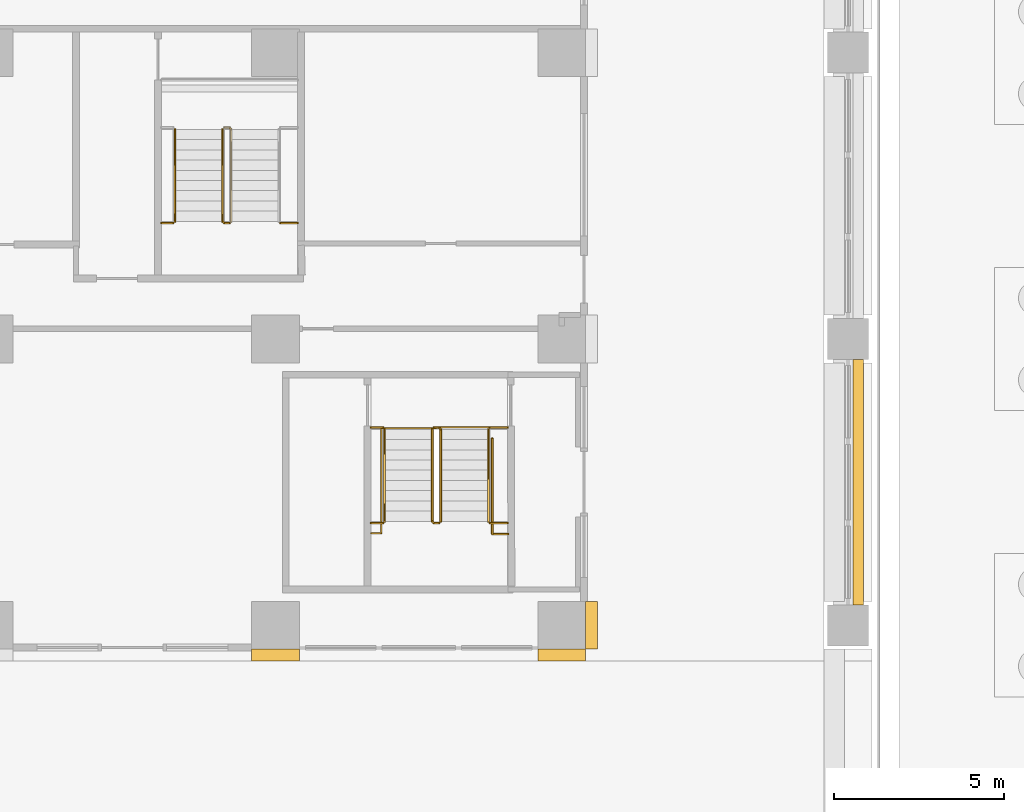
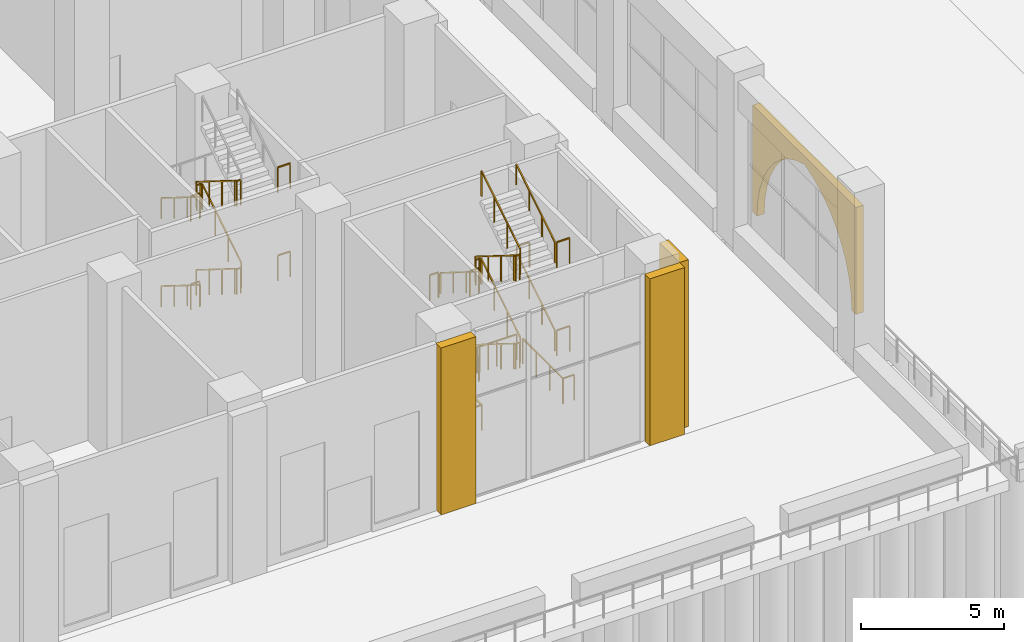
# One storey, part 44 of 53: 26 railings, 4 coverings.
"""IFC4 building model written with IfcOpenShell, lengths in metres."""

import ifcopenshell
import ifcopenshell.guid

model = None  # the IFC model being written
_history = None  # IfcOwnerHistory: only IFC2X3 demands one
_inside = {}  # id of a spatial element -> (the spatial element, [elements in it])
_under = {}  # id of a project, library or spatial element -> (it, [spatial elements below it])
_declared = {}  # id of a project -> (the project, [libraries it declares])
_typed = {}  # id of a type object -> (the type object, [elements of that type])
_made_of = {}  # id of a material, layer set ... -> (it, [elements and type objects made of it])


def new_model(schema):
    """Start an empty IFC model of exactly this schema.

    Asked for "IFC4X3", IfcOpenShell would pick the latest addendum, in which some entities
    have other attributes; the version numbers below select the first issue.
    IFC2X3 requires an IfcOwnerHistory on every rooted entity: one is made here for all.
    """
    global model, _history
    if schema == "IFC4X3":
        model = ifcopenshell.file(schema_version=(4, 3, 0, 0))
    else:
        model = ifcopenshell.file(schema=schema)
    _inside.clear()
    _under.clear()
    _declared.clear()
    _typed.clear()
    _made_of.clear()
    _history = None
    if model.schema == "IFC2X3":
        org = make("IfcOrganization", Name="unknown")
        user = make(
            "IfcPersonAndOrganization",
            ThePerson=make("IfcPerson", FamilyName="unknown"),
            TheOrganization=org,
        )
        app = make(
            "IfcApplication",
            ApplicationDeveloper=org,
            Version="unknown",
            ApplicationFullName="unknown",
            ApplicationIdentifier="unknown",
        )
        _history = make(
            "IfcOwnerHistory",
            OwningUser=user,
            OwningApplication=app,
            ChangeAction="ADDED",
            CreationDate=0,
        )
    return model


def make(cls, **values):
    """One entity of the class cls with the attributes given. An attribute that is None is left unset."""
    return model.create_entity(
        cls, **{name: value for name, value in values.items() if value is not None}
    )


def rooted(cls, **values):
    """An entity with a GlobalId (a new one), such as an element, a storey or a relation."""
    return make(cls, GlobalId=ifcopenshell.guid.new(), OwnerHistory=_history, **values)


def si_unit(unit_type, name, prefix=None):
    """IfcSIUnit, for example si_unit("LENGTHUNIT", "METRE", prefix="MILLI")."""
    return make("IfcSIUnit", UnitType=unit_type, Prefix=prefix, Name=name)


def assignment(units):
    """IfcUnitAssignment: the units of a project."""
    return None if units is None else make("IfcUnitAssignment", Units=units)


def point(xyz):
    """IfcCartesianPoint."""
    return None if xyz is None else make("IfcCartesianPoint", Coordinates=xyz)


def direction(xyz):
    """IfcDirection."""
    return None if xyz is None else make("IfcDirection", DirectionRatios=xyz)


def frame(location, z_axis=None, x_axis=None):
    """IfcAxis2Placement3D, a coordinate frame: its origin and axes. An axis left out is left unset."""
    return make(
        "IfcAxis2Placement3D",
        Location=point(location),
        Axis=direction(z_axis),
        RefDirection=direction(x_axis),
    )


def frame_2d(location, x_axis=None):
    """IfcAxis2Placement2D, a coordinate frame in the plane: its origin and x axis."""
    return make(
        "IfcAxis2Placement2D", Location=point(location), RefDirection=direction(x_axis)
    )


def origin():
    """The frame at (0, 0, 0) with its axes left unset."""
    return frame((0.0, 0.0, 0.0))


def origin_2d():
    """The frame at (0, 0) in the plane with its x axis left unset."""
    return frame_2d((0.0, 0.0))


def place(relative_to, where):
    """IfcLocalPlacement: puts the frame where relative to a parent placement (None: the world)."""
    return make(
        "IfcLocalPlacement", PlacementRelTo=relative_to, RelativePlacement=where
    )


def context(
    kind, dimensions, precision=None, world=None, true_north=None, identifier=None
):
    """IfcGeometricRepresentationContext, for example the 3D "Model" context."""
    return make(
        "IfcGeometricRepresentationContext",
        ContextIdentifier=identifier,
        ContextType=kind,
        CoordinateSpaceDimension=dimensions,
        Precision=precision,
        WorldCoordinateSystem=world,
        TrueNorth=true_north,
    )


def subcontext(parent, identifier, kind, view, scale=None):
    """IfcGeometricRepresentationSubContext, for example "Body" below "Model"."""
    return make(
        "IfcGeometricRepresentationSubContext",
        ContextIdentifier=identifier,
        ContextType=kind,
        ParentContext=parent,
        TargetScale=scale,
        TargetView=view,
    )


def project(units=None, contexts=None):
    """IfcProject with its units and contexts."""
    return rooted(
        "IfcProject",
        Name="project",
        RepresentationContexts=contexts,
        UnitsInContext=assignment(units),
    )


def spatial(cls, under=None, at=None, **own):
    """A site, building, storey or space (cls), placed at a placement, below another one or the project."""
    s = rooted(cls, ObjectPlacement=at, **own)
    if under is not None:
        _under.setdefault(under.id(), (under, []))[1].append(s)
    return s


def polyline(points):
    """IfcPolyline through the points."""
    return make("IfcPolyline", Points=[point(p) for p in points])


def profile(cls, at=None, kind="AREA", **sizes):
    """A parametric profile (cls). Its sizes go by their IFC names, for example OverallWidth=200.0."""
    return make(cls, ProfileType=kind, Position=at, **sizes)


def rectangle(**sizes):
    """IfcRectangleProfileDef."""
    return profile("IfcRectangleProfileDef", **sizes)


def outline(outer, holes=None, kind="AREA"):
    """IfcArbitraryClosedProfileDef: a profile drawn as a closed curve; with holes, ...WithVoids."""
    if holes is None:
        return make("IfcArbitraryClosedProfileDef", ProfileType=kind, OuterCurve=outer)
    return make(
        "IfcArbitraryProfileDefWithVoids",
        ProfileType=kind,
        OuterCurve=outer,
        InnerCurves=holes,
    )


def extrude(swept, where, along, depth):
    """IfcExtrudedAreaSolid: the profile swept, set in the frame where, extruded along a direction by depth."""
    return make(
        "IfcExtrudedAreaSolid",
        SweptArea=swept,
        Position=where,
        ExtrudedDirection=direction(along),
        Depth=depth,
    )


def shape(context_of_items, identifier, shape_type, items):
    """IfcShapeRepresentation: the items that make up one representation, for example the "Body"."""
    return make(
        "IfcShapeRepresentation",
        ContextOfItems=context_of_items,
        RepresentationIdentifier=identifier,
        RepresentationType=shape_type,
        Items=items,
    )


def material(Name=None, Category=None):
    """IfcMaterial."""
    return make("IfcMaterial", Name=Name, Category=Category)


def made_of(thing, what):
    """Note that an element or type object is made of a material, layer set ...; save() writes the relation."""
    if what is not None:
        _made_of.setdefault(what.id(), (what, []))[1].append(thing)
    return thing


def type_object(cls, material=None, **own):
    """A type object (cls), such as IfcWallType, which elements share."""
    return made_of(rooted(cls, **own), material)


def element(
    cls,
    number,
    at=None,
    inside=None,
    cuts=None,
    type_object=None,
    material=None,
    context=None,
    identifier="Body",
    shape_type=None,
    held_by="IfcProductDefinitionShape",
    body=None,
    shapes=None,
    **own,
):
    """One element of the class cls, such as IfcWall. Its Tag is "e" and its number.

    at: its placement. inside: the storey or other place that contains it. cuts: it is an
    opening in that element (IfcRelVoidsElement). A single representation is given by context,
    identifier, shape_type and body (its items); several are given by shapes. held_by: the class
    of the entity that holds the representations. save() writes the other relations.
    """
    e = rooted(cls, Tag="e%d" % number, ObjectPlacement=at, **own)
    if body is not None:
        shapes = [shape(context, identifier, shape_type, body)]
    if shapes is not None:
        e.Representation = make(held_by, Representations=shapes)
    if inside is not None:
        _inside.setdefault(inside.id(), (inside, []))[1].append(e)
    if cuts is not None:
        rooted(
            "IfcRelVoidsElement", RelatingBuildingElement=cuts, RelatedOpeningElement=e
        )
    if type_object is not None:
        _typed.setdefault(type_object.id(), (type_object, []))[1].append(e)
    return made_of(e, material)


def aggregate(whole, parts):
    """IfcRelAggregates: a whole, such as a stair, and the parts it consists of."""
    return rooted("IfcRelAggregates", RelatingObject=whole, RelatedObjects=parts)


def save(model, path):
    """Write the relations noted so far, then the file.

    IfcRelAggregates (storeys below a building ...), IfcRelContainedInSpatialStructure (elements
    in a storey), IfcRelDefinesByType, IfcRelAssociatesMaterial and IfcRelDeclares: one each for
    every whole, place, type object, material and project.
    """
    for whole, parts in _under.values():
        aggregate(whole, parts)
    for where, things in _inside.values():
        rooted(
            "IfcRelContainedInSpatialStructure",
            RelatedElements=things,
            RelatingStructure=where,
        )
    for kind, things in _typed.values():
        rooted("IfcRelDefinesByType", RelatedObjects=things, RelatingType=kind)
    for what, things in _made_of.values():
        rooted("IfcRelAssociatesMaterial", RelatedObjects=things, RelatingMaterial=what)
    for by, libraries in _declared.values():
        rooted("IfcRelDeclares", RelatingContext=by, RelatedDefinitions=libraries)
    model.write(path)


model = new_model("IFC4")

# Units and contexts
model_context = context("Model", 3, precision=1e-05, world=origin(), true_north=direction((0.0, 1.0)))
body_context = subcontext(model_context, "Body", "Model", "MODEL_VIEW")
ifc_project = project(units=[si_unit("LENGTHUNIT", "METRE"), si_unit("AREAUNIT", "SQUARE_METRE"), si_unit("VOLUMEUNIT", "CUBIC_METRE"), si_unit("PLANEANGLEUNIT", "RADIAN"), si_unit("MASSUNIT", "GRAM", prefix="KILO")], contexts=[model_context])

# Site, building, storey
site_placement = place(None, origin())
site = spatial("IfcSite", under=ifc_project, at=site_placement, CompositionType="ELEMENT")
building_placement = place(site_placement, origin())
building = spatial("IfcBuilding", under=site, at=building_placement, Name="Vermilion Ogive Tower", CompositionType="ELEMENT")
storey_placement = place(building_placement, origin())
storey = spatial("IfcBuildingStorey", under=building, at=storey_placement, Name="L00", CompositionType="ELEMENT", Elevation=0.0)

# Covering
ifc_material_1 = material(Name="Stone cladding", Category="masonry")
covering_type_1 = type_object("IfcCoveringType", Name="Arcade ogive head", PredefinedType="CLADDING", material=ifc_material_1)
covering_1_placement = place(storey_placement, frame((58.949951171875, -25.199951171875, 5.89990234375), z_axis=(1.0, 0.0, 0.0), x_axis=(0.0, 1.0, 0.0)))
element("IfcCovering", 1, at=covering_1_placement, inside=storey, type_object=covering_type_1, Name="Arcade stone head L00 1", PredefinedType="CLADDING", context=body_context, shape_type="SweptSolid", body=[
    extrude(outline(polyline([(-3.300048828125, -4.550048828125), (-3.252685546875, -3.91259765625), (-3.112060546875, -3.2890625), (-2.880859375, -2.693115234375), (-2.564453125, -2.137939453125), (-2.169677734375, -1.63525390625), (-1.704833984375, -1.196533203125), (-1.1806640625, -0.830810546875), (-0.608154296875, -0.546630859375), (0.0, -0.35009765625), (0.608154296875, -0.546630859375), (1.1806640625, -0.830810546875), (1.704833984375, -1.196533203125), (2.169677734375, -1.63525390625), (2.564453125, -2.137939453125), (2.880859375, -2.693115234375), (3.112060546875, -3.2890625), (3.252685546875, -3.91259765625), (3.300048828125, -4.550048828125), (3.60009765625, -4.550048828125), (3.60009765625, 0.0), (-3.60009765625, 0.0), (-3.60009765625, -4.550048828125), (-3.300048828125, -4.550048828125)])), origin(), (0.0, 0.0, 1.0), 0.300048828125),
])

# Railings
ifc_material_2 = material(Name="Steel S355 painted", Category="steel")
railing_type_1 = type_object("IfcRailingType", Name="Stair guard 1100", PredefinedType="GUARDRAIL", material=ifc_material_2)
railing_1_placement = place(storey_placement, frame((40.449951171875, -14.85009765625, 0.1875)))
element("IfcRailing", 2, at=railing_1_placement, inside=storey, type_object=railing_type_1, Name="L00 PS6 stair guard 1", PredefinedType="GUARDRAIL", context=body_context, shape_type="SweptSolid", body=[
    extrude(rectangle(XDim=0.048095703125, YDim=0.048095703125, at=origin_2d()), frame((0.0, 0.0, 1.076171875), z_axis=(0.0, -0.847993996163, 0.530005832488), x_axis=(1.0, 0.0, 0.0)), (0.0, 0.0, 1.0), 3.183837890625),
    extrude(rectangle(XDim=0.048095703125, YDim=0.048095703125, at=origin_2d()), frame((0.0, -2.699951171875, 2.763671875), z_axis=(0.707106781187, -0.707106781187, 0.0), x_axis=(0.707106781187, 0.707106781187, 0.0)), (0.0, 0.0, 1.0), 0.07080078125),
    extrude(rectangle(XDim=0.048095703125, YDim=0.048095703125, at=origin_2d()), frame((0.050048828125, -2.75, 2.763671875), z_axis=(1.0, 0.0, 0.0), x_axis=(0.0, 1.0, 0.0)), (0.0, 0.0, 1.0), 0.14990234375),
    extrude(rectangle(XDim=0.0419921875, YDim=0.0419921875, at=origin_2d()), origin(), (0.0, 0.0, 1.0), 1.052001953125),
    extrude(rectangle(XDim=0.0419921875, YDim=0.0419921875, at=origin_2d()), frame((0.0, -0.89990234375, 0.5625)), (0.0, 0.0, 1.0), 1.052001953125),
    extrude(rectangle(XDim=0.0419921875, YDim=0.0419921875, at=origin_2d()), frame((0.0, -1.800048828125, 1.125)), (0.0, 0.0, 1.0), 1.052001953125),
    extrude(rectangle(XDim=0.0419921875, YDim=0.0419921875, at=origin_2d()), frame((0.0, -2.699951171875, 1.6875)), (0.0, 0.0, 1.0), 1.052001953125),
    extrude(rectangle(XDim=0.0419921875, YDim=0.0419921875, at=origin_2d()), frame((0.050048828125, -2.75, 1.6875)), (0.0, 0.0, 1.0), 1.052001953125),
    extrude(rectangle(XDim=0.0419921875, YDim=0.0419921875, at=origin_2d()), frame((0.199951171875, -2.75, 1.6875)), (0.0, 0.0, 1.0), 1.052001953125),
])
railing_2_placement = place(storey_placement, frame((40.699951171875, -17.550048828125, 2.0625)))
element("IfcRailing", 3, at=railing_2_placement, inside=storey, type_object=railing_type_1, Name="L00 PS6 stair guard 3", PredefinedType="GUARDRAIL", context=body_context, shape_type="SweptSolid", body=[
    extrude(rectangle(XDim=0.048095703125, YDim=0.048095703125, at=origin_2d()), frame((0.0, 0.0, 1.076171875), z_axis=(0.0, 0.847993996163, 0.530005832488), x_axis=(-1.0, 0.0, 0.0)), (0.0, 0.0, 1.0), 3.183837890625),
    extrude(rectangle(XDim=0.048095703125, YDim=0.048095703125, at=origin_2d()), frame((0.0, 2.699951171875, 2.763671875), z_axis=(-0.707106781187, 0.707106781187, 0.0), x_axis=(-0.707106781187, -0.707106781187, 0.0)), (0.0, 0.0, 1.0), 0.07080078125),
    extrude(rectangle(XDim=0.048095703125, YDim=0.048095703125, at=origin_2d()), frame((-0.050048828125, 2.75, 2.763671875), z_axis=(-1.0, 0.0, 0.0), x_axis=(0.0, -1.0, 0.0)), (0.0, 0.0, 1.0), 0.14990234375),
    extrude(rectangle(XDim=0.0419921875, YDim=0.0419921875, at=origin_2d()), origin(), (0.0, 0.0, 1.0), 1.052001953125),
    extrude(rectangle(XDim=0.0419921875, YDim=0.0419921875, at=origin_2d()), frame((0.0, 0.89990234375, 0.5625)), (0.0, 0.0, 1.0), 1.052001953125),
    extrude(rectangle(XDim=0.0419921875, YDim=0.0419921875, at=origin_2d()), frame((0.0, 1.800048828125, 1.125)), (0.0, 0.0, 1.0), 1.052001953125),
    extrude(rectangle(XDim=0.0419921875, YDim=0.0419921875, at=origin_2d()), frame((0.0, 2.699951171875, 1.6875)), (0.0, 0.0, 1.0), 1.052001953125),
    extrude(rectangle(XDim=0.0419921875, YDim=0.0419921875, at=origin_2d()), frame((-0.050048828125, 2.75, 1.6875)), (0.0, 0.0, 1.0), 1.052001953125),
    extrude(rectangle(XDim=0.0419921875, YDim=0.0419921875, at=origin_2d()), frame((-0.199951171875, 2.75, 1.6875)), (0.0, 0.0, 1.0), 1.052001953125),
])
railing_3_placement = place(storey_placement, frame((40.449951171875, -14.85009765625, 3.9375)))
element("IfcRailing", 4, at=railing_3_placement, inside=storey, type_object=railing_type_1, Name="L00 PS6 stair guard 5", PredefinedType="GUARDRAIL", context=body_context, shape_type="SweptSolid", body=[
    extrude(rectangle(XDim=0.048095703125, YDim=0.048095703125, at=origin_2d()), frame((0.0, 0.0, 1.076171875), z_axis=(0.0, -0.847993996163, 0.530005832488), x_axis=(1.0, 0.0, 0.0)), (0.0, 0.0, 1.0), 3.183837890625),
    extrude(rectangle(XDim=0.048095703125, YDim=0.048095703125, at=origin_2d()), frame((0.0, -2.699951171875, 2.763671875), z_axis=(0.707106781187, -0.707106781187, 0.0), x_axis=(0.707106781187, 0.707106781187, 0.0)), (0.0, 0.0, 1.0), 0.07080078125),
    extrude(rectangle(XDim=0.048095703125, YDim=0.048095703125, at=origin_2d()), frame((0.050048828125, -2.75, 2.763671875), z_axis=(1.0, 0.0, 0.0), x_axis=(0.0, 1.0, 0.0)), (0.0, 0.0, 1.0), 0.14990234375),
    extrude(rectangle(XDim=0.0419921875, YDim=0.0419921875, at=origin_2d()), origin(), (0.0, 0.0, 1.0), 1.052001953125),
    extrude(rectangle(XDim=0.0419921875, YDim=0.0419921875, at=origin_2d()), frame((0.0, -0.89990234375, 0.5625)), (0.0, 0.0, 1.0), 1.052001953125),
    extrude(rectangle(XDim=0.0419921875, YDim=0.0419921875, at=origin_2d()), frame((0.0, -1.800048828125, 1.125)), (0.0, 0.0, 1.0), 1.052001953125),
    extrude(rectangle(XDim=0.0419921875, YDim=0.0419921875, at=origin_2d()), frame((0.0, -2.699951171875, 1.6875)), (0.0, 0.0, 1.0), 1.052001953125),
    extrude(rectangle(XDim=0.0419921875, YDim=0.0419921875, at=origin_2d()), frame((0.050048828125, -2.75, 1.6875)), (0.0, 0.0, 1.0), 1.052001953125),
    extrude(rectangle(XDim=0.0419921875, YDim=0.0419921875, at=origin_2d()), frame((0.199951171875, -2.75, 1.6875)), (0.0, 0.0, 1.0), 1.052001953125),
])
railing_4_placement = place(storey_placement, frame((46.60009765625, -23.64990234375, 0.1875)))
element("IfcRailing", 5, at=railing_4_placement, inside=storey, type_object=railing_type_1, Name="L00 PES stair guard 1", PredefinedType="GUARDRAIL", context=body_context, shape_type="SweptSolid", body=[
    extrude(rectangle(XDim=0.048095703125, YDim=0.048095703125, at=origin_2d()), frame((0.0, 0.0, 1.076171875), z_axis=(0.0, -0.848015533692, 0.529971371508), x_axis=(1.0, 0.0, 0.0)), (0.0, 0.0, 1.0), 3.18408203125),
    extrude(rectangle(XDim=0.048095703125, YDim=0.048095703125, at=origin_2d()), frame((0.0, -2.7001953125, 2.763671875), z_axis=(0.707106781187, -0.707106781187, 0.0), x_axis=(0.707106781187, 0.707106781187, 0.0)), (0.0, 0.0, 1.0), 0.0703125),
    extrude(rectangle(XDim=0.048095703125, YDim=0.048095703125, at=origin_2d()), frame((0.0498046875, -2.75, 2.763671875), z_axis=(1.0, 0.0, 0.0), x_axis=(0.0, 1.0, 0.0)), (0.0, 0.0, 1.0), 0.150146484375),
    extrude(rectangle(XDim=0.0419921875, YDim=0.0419921875, at=origin_2d()), origin(), (0.0, 0.0, 1.0), 1.052001953125),
    extrude(rectangle(XDim=0.0419921875, YDim=0.0419921875, at=origin_2d()), frame((0.0, -0.900146484375, 0.5625)), (0.0, 0.0, 1.0), 1.052001953125),
    extrude(rectangle(XDim=0.0419921875, YDim=0.0419921875, at=origin_2d()), frame((0.0, -1.800048828125, 1.125)), (0.0, 0.0, 1.0), 1.052001953125),
    extrude(rectangle(XDim=0.0419921875, YDim=0.0419921875, at=origin_2d()), frame((0.0, -2.7001953125, 1.6875)), (0.0, 0.0, 1.0), 1.052001953125),
    extrude(rectangle(XDim=0.0419921875, YDim=0.0419921875, at=origin_2d()), frame((0.0498046875, -2.75, 1.6875)), (0.0, 0.0, 1.0), 1.052001953125),
    extrude(rectangle(XDim=0.0419921875, YDim=0.0419921875, at=origin_2d()), frame((0.199951171875, -2.75, 1.6875)), (0.0, 0.0, 1.0), 1.052001953125),
])
railing_5_placement = place(storey_placement, frame((46.85009765625, -26.35009765625, 2.0625)))
element("IfcRailing", 6, at=railing_5_placement, inside=storey, type_object=railing_type_1, Name="L00 PES stair guard 3", PredefinedType="GUARDRAIL", context=body_context, shape_type="SweptSolid", body=[
    extrude(rectangle(XDim=0.048095703125, YDim=0.048095703125, at=origin_2d()), frame((0.0, 0.0, 1.076171875), z_axis=(0.0, 0.848015533692, 0.529971371508), x_axis=(-1.0, 0.0, 0.0)), (0.0, 0.0, 1.0), 3.18408203125),
    extrude(rectangle(XDim=0.048095703125, YDim=0.048095703125, at=origin_2d()), frame((0.0, 2.7001953125, 2.763671875), z_axis=(-0.708833529934, 0.705375805398, 0.0), x_axis=(-0.705375805398, -0.708833529934, 0.0)), (0.0, 0.0, 1.0), 0.070556640625),
    extrude(rectangle(XDim=0.048095703125, YDim=0.048095703125, at=origin_2d()), frame((-0.050048828125, 2.75, 2.763671875), z_axis=(-1.0, 0.0, 0.0), x_axis=(0.0, -1.0, 0.0)), (0.0, 0.0, 1.0), 0.150146484375),
    extrude(rectangle(XDim=0.0419921875, YDim=0.0419921875, at=origin_2d()), origin(), (0.0, 0.0, 1.0), 1.052001953125),
    extrude(rectangle(XDim=0.0419921875, YDim=0.0419921875, at=origin_2d()), frame((0.0, 0.900146484375, 0.5625)), (0.0, 0.0, 1.0), 1.052001953125),
    extrude(rectangle(XDim=0.0419921875, YDim=0.0419921875, at=origin_2d()), frame((0.0, 1.800048828125, 1.125)), (0.0, 0.0, 1.0), 1.052001953125),
    extrude(rectangle(XDim=0.0419921875, YDim=0.0419921875, at=origin_2d()), frame((0.0, 2.7001953125, 1.6875)), (0.0, 0.0, 1.0), 1.052001953125),
    extrude(rectangle(XDim=0.0419921875, YDim=0.0419921875, at=origin_2d()), frame((-0.050048828125, 2.75, 1.6875)), (0.0, 0.0, 1.0), 1.052001953125),
    extrude(rectangle(XDim=0.0419921875, YDim=0.0419921875, at=origin_2d()), frame((-0.2001953125, 2.75, 1.6875)), (0.0, 0.0, 1.0), 1.052001953125),
])
railing_6_placement = place(storey_placement, frame((46.60009765625, -23.64990234375, 3.9375)))
element("IfcRailing", 7, at=railing_6_placement, inside=storey, type_object=railing_type_1, Name="L00 PES stair guard 5", PredefinedType="GUARDRAIL", context=body_context, shape_type="SweptSolid", body=[
    extrude(rectangle(XDim=0.048095703125, YDim=0.048095703125, at=origin_2d()), frame((0.0, 0.0, 1.076171875), z_axis=(0.0, -0.848015533692, 0.529971371508), x_axis=(1.0, 0.0, 0.0)), (0.0, 0.0, 1.0), 3.18408203125),
    extrude(rectangle(XDim=0.048095703125, YDim=0.048095703125, at=origin_2d()), frame((0.0, -2.7001953125, 2.763671875), z_axis=(0.707106781187, -0.707106781187, 0.0), x_axis=(0.707106781187, 0.707106781187, 0.0)), (0.0, 0.0, 1.0), 0.0703125),
    extrude(rectangle(XDim=0.048095703125, YDim=0.048095703125, at=origin_2d()), frame((0.0498046875, -2.75, 2.763671875), z_axis=(1.0, 0.0, 0.0), x_axis=(0.0, 1.0, 0.0)), (0.0, 0.0, 1.0), 0.150146484375),
    extrude(rectangle(XDim=0.0419921875, YDim=0.0419921875, at=origin_2d()), origin(), (0.0, 0.0, 1.0), 1.052001953125),
    extrude(rectangle(XDim=0.0419921875, YDim=0.0419921875, at=origin_2d()), frame((0.0, -0.900146484375, 0.5625)), (0.0, 0.0, 1.0), 1.052001953125),
    extrude(rectangle(XDim=0.0419921875, YDim=0.0419921875, at=origin_2d()), frame((0.0, -1.800048828125, 1.125)), (0.0, 0.0, 1.0), 1.052001953125),
    extrude(rectangle(XDim=0.0419921875, YDim=0.0419921875, at=origin_2d()), frame((0.0, -2.7001953125, 1.6875)), (0.0, 0.0, 1.0), 1.052001953125),
    extrude(rectangle(XDim=0.0419921875, YDim=0.0419921875, at=origin_2d()), frame((0.0498046875, -2.75, 1.6875)), (0.0, 0.0, 1.0), 1.052001953125),
    extrude(rectangle(XDim=0.0419921875, YDim=0.0419921875, at=origin_2d()), frame((0.199951171875, -2.75, 1.6875)), (0.0, 0.0, 1.0), 1.052001953125),
])
railing_7_placement = place(storey_placement, frame((46.85009765625, -26.35009765625, 5.8125)))
element("IfcRailing", 8, at=railing_7_placement, inside=storey, type_object=railing_type_1, Name="L00 PES stair guard 7", PredefinedType="GUARDRAIL", context=body_context, shape_type="SweptSolid", body=[
    extrude(rectangle(XDim=0.048095703125, YDim=0.048095703125, at=origin_2d()), frame((0.0, 0.0, 1.076171875), z_axis=(0.0, 0.848015533692, 0.529971371508), x_axis=(-1.0, 0.0, 0.0)), (0.0, 0.0, 1.0), 3.18408203125),
    extrude(rectangle(XDim=0.0419921875, YDim=0.0419921875, at=origin_2d()), origin(), (0.0, 0.0, 1.0), 1.052001953125),
    extrude(rectangle(XDim=0.0419921875, YDim=0.0419921875, at=origin_2d()), frame((0.0, 0.900146484375, 0.5625)), (0.0, 0.0, 1.0), 1.052001953125),
    extrude(rectangle(XDim=0.0419921875, YDim=0.0419921875, at=origin_2d()), frame((0.0, 1.800048828125, 1.125)), (0.0, 0.0, 1.0), 1.052001953125),
    extrude(rectangle(XDim=0.0419921875, YDim=0.0419921875, at=origin_2d()), frame((0.0, 2.7001953125, 1.6875)), (0.0, 0.0, 1.0), 1.052001953125),
])
railing_8_placement = place(storey_placement, frame((46.64990234375, -23.60009765625, 0.0)))
element("IfcRailing", 9, at=railing_8_placement, inside=storey, type_object=railing_type_1, Name="L00 PES stair guard 8", PredefinedType="GUARDRAIL", context=body_context, shape_type="SweptSolid", body=[
    extrude(rectangle(XDim=0.048095703125, YDim=0.048095703125, at=origin_2d()), frame((0.0, 0.0, 1.076171875), z_axis=(1.0, 0.0, 0.0), x_axis=(0.0, 1.0, 0.0)), (0.0, 0.0, 1.0), 0.150146484375),
    extrude(rectangle(XDim=0.0419921875, YDim=0.0419921875, at=origin_2d()), origin(), (0.0, 0.0, 1.0), 1.052001953125),
    extrude(rectangle(XDim=0.0419921875, YDim=0.0419921875, at=origin_2d()), frame((0.150146484375, 0.0, 0.0)), (0.0, 0.0, 1.0), 1.052001953125),
])
railing_9_placement = place(storey_placement, frame((38.650146484375, -17.60009765625, 1.875)))
element("IfcRailing", 10, at=railing_9_placement, inside=storey, type_object=railing_type_1, Name="L00 landing guard", PredefinedType="GUARDRAIL", context=body_context, shape_type="SweptSolid", body=[
    extrude(rectangle(XDim=0.048095703125, YDim=0.048095703125, at=origin_2d()), frame((0.0, 0.0, 1.076171875), z_axis=(1.0, 0.0, 0.0), x_axis=(0.0, 1.0, 0.0)), (0.0, 0.0, 1.0), 0.349853515625),
    extrude(rectangle(XDim=0.0419921875, YDim=0.0419921875, at=origin_2d()), origin(), (0.0, 0.0, 1.0), 1.052001953125),
    extrude(rectangle(XDim=0.0419921875, YDim=0.0419921875, at=origin_2d()), frame((0.349853515625, 0.0, 0.0)), (0.0, 0.0, 1.0), 1.052001953125),
])
railing_10_placement = place(storey_placement, frame((42.14990234375, -17.60009765625, 1.875)))
element("IfcRailing", 11, at=railing_10_placement, inside=storey, type_object=railing_type_1, Name="L00 landing guard", PredefinedType="GUARDRAIL", context=body_context, shape_type="SweptSolid", body=[
    extrude(rectangle(XDim=0.048095703125, YDim=0.048095703125, at=origin_2d()), frame((0.0, 0.0, 1.076171875), z_axis=(1.0, 0.0, 0.0), x_axis=(0.0, 1.0, 0.0)), (0.0, 0.0, 1.0), 0.5),
    extrude(rectangle(XDim=0.0419921875, YDim=0.0419921875, at=origin_2d()), origin(), (0.0, 0.0, 1.0), 1.052001953125),
    extrude(rectangle(XDim=0.0419921875, YDim=0.0419921875, at=origin_2d()), frame((0.5, 0.0, 0.0)), (0.0, 0.0, 1.0), 1.052001953125),
])
railing_11_placement = place(storey_placement, frame((38.650146484375, -17.60009765625, 5.625)))
element("IfcRailing", 12, at=railing_11_placement, inside=storey, type_object=railing_type_1, Name="L00 landing guard", PredefinedType="GUARDRAIL", context=body_context, shape_type="SweptSolid", body=[
    extrude(rectangle(XDim=0.048095703125, YDim=0.048095703125, at=origin_2d()), frame((0.0, 0.0, 1.076171875), z_axis=(1.0, 0.0, 0.0), x_axis=(0.0, 1.0, 0.0)), (0.0, 0.0, 1.0), 0.349853515625),
    extrude(rectangle(XDim=0.0419921875, YDim=0.0419921875, at=origin_2d()), origin(), (0.0, 0.0, 1.0), 1.052001953125),
    extrude(rectangle(XDim=0.0419921875, YDim=0.0419921875, at=origin_2d()), frame((0.349853515625, 0.0, 0.0)), (0.0, 0.0, 1.0), 1.052001953125),
])
railing_12_placement = place(storey_placement, frame((42.14990234375, -17.60009765625, 5.625)))
element("IfcRailing", 13, at=railing_12_placement, inside=storey, type_object=railing_type_1, Name="L00 landing guard", PredefinedType="GUARDRAIL", context=body_context, shape_type="SweptSolid", body=[
    extrude(rectangle(XDim=0.048095703125, YDim=0.048095703125, at=origin_2d()), frame((0.0, 0.0, 1.076171875), z_axis=(1.0, 0.0, 0.0), x_axis=(0.0, 1.0, 0.0)), (0.0, 0.0, 1.0), 0.5),
    extrude(rectangle(XDim=0.0419921875, YDim=0.0419921875, at=origin_2d()), origin(), (0.0, 0.0, 1.0), 1.052001953125),
    extrude(rectangle(XDim=0.0419921875, YDim=0.0419921875, at=origin_2d()), frame((0.5, 0.0, 0.0)), (0.0, 0.0, 1.0), 1.052001953125),
])
railing_13_placement = place(storey_placement, frame((44.800048828125, -26.39990234375, 1.875)))
element("IfcRailing", 14, at=railing_13_placement, inside=storey, type_object=railing_type_1, Name="L00 landing guard", PredefinedType="GUARDRAIL", context=body_context, shape_type="SweptSolid", body=[
    extrude(rectangle(XDim=0.048095703125, YDim=0.048095703125, at=origin_2d()), frame((0.0, 0.0, 1.076171875), z_axis=(1.0, 0.0, 0.0), x_axis=(0.0, 1.0, 0.0)), (0.0, 0.0, 1.0), 0.349853515625),
    extrude(rectangle(XDim=0.0419921875, YDim=0.0419921875, at=origin_2d()), origin(), (0.0, 0.0, 1.0), 1.052001953125),
    extrude(rectangle(XDim=0.0419921875, YDim=0.0419921875, at=origin_2d()), frame((0.349853515625, 0.0, 0.0)), (0.0, 0.0, 1.0), 1.052001953125),
])
railing_14_placement = place(storey_placement, frame((48.300048828125, -26.39990234375, 1.875)))
element("IfcRailing", 15, at=railing_14_placement, inside=storey, type_object=railing_type_1, Name="L00 landing guard", PredefinedType="GUARDRAIL", context=body_context, shape_type="SweptSolid", body=[
    extrude(rectangle(XDim=0.048095703125, YDim=0.048095703125, at=origin_2d()), frame((0.0, 0.0, 1.076171875), z_axis=(1.0, 0.0, 0.0), x_axis=(0.0, 1.0, 0.0)), (0.0, 0.0, 1.0), 0.512451171875),
    extrude(rectangle(XDim=0.0419921875, YDim=0.0419921875, at=origin_2d()), origin(), (0.0, 0.0, 1.0), 1.052001953125),
    extrude(rectangle(XDim=0.0419921875, YDim=0.0419921875, at=origin_2d()), frame((0.512451171875, 0.0, 0.0)), (0.0, 0.0, 1.0), 1.052001953125),
])
railing_15_placement = place(storey_placement, frame((44.800048828125, -23.60009765625, 3.75)))
element("IfcRailing", 16, at=railing_15_placement, inside=storey, type_object=railing_type_1, Name="L00 landing guard", PredefinedType="GUARDRAIL", context=body_context, shape_type="SweptSolid", body=[
    extrude(rectangle(XDim=0.048095703125, YDim=0.048095703125, at=origin_2d()), frame((0.0, 0.0, 1.076171875), z_axis=(1.0, 0.0, 0.0), x_axis=(0.0, 1.0, 0.0)), (0.0, 0.0, 1.0), 0.349853515625),
    extrude(rectangle(XDim=0.0419921875, YDim=0.0419921875, at=origin_2d()), origin(), (0.0, 0.0, 1.0), 1.052001953125),
    extrude(rectangle(XDim=0.0419921875, YDim=0.0419921875, at=origin_2d()), frame((0.349853515625, 0.0, 0.0)), (0.0, 0.0, 1.0), 1.052001953125),
])
railing_16_placement = place(storey_placement, frame((48.300048828125, -23.60009765625, 3.75)))
element("IfcRailing", 17, at=railing_16_placement, inside=storey, type_object=railing_type_1, Name="L00 landing guard", PredefinedType="GUARDRAIL", context=body_context, shape_type="SweptSolid", body=[
    extrude(rectangle(XDim=0.048095703125, YDim=0.048095703125, at=origin_2d()), frame((0.0, 0.0, 1.076171875), z_axis=(1.0, 0.0, 0.0), x_axis=(0.0, 1.0, 0.0)), (0.0, 0.0, 1.0), 0.512451171875),
    extrude(rectangle(XDim=0.0419921875, YDim=0.0419921875, at=origin_2d()), origin(), (0.0, 0.0, 1.0), 1.052001953125),
    extrude(rectangle(XDim=0.0419921875, YDim=0.0419921875, at=origin_2d()), frame((0.512451171875, 0.0, 0.0)), (0.0, 0.0, 1.0), 1.052001953125),
])
railing_17_placement = place(storey_placement, frame((44.800048828125, -26.39990234375, 5.625)))
element("IfcRailing", 18, at=railing_17_placement, inside=storey, type_object=railing_type_1, Name="L00 landing guard", PredefinedType="GUARDRAIL", context=body_context, shape_type="SweptSolid", body=[
    extrude(rectangle(XDim=0.048095703125, YDim=0.048095703125, at=origin_2d()), frame((0.0, 0.0, 1.076171875), z_axis=(1.0, 0.0, 0.0), x_axis=(0.0, 1.0, 0.0)), (0.0, 0.0, 1.0), 0.349853515625),
    extrude(rectangle(XDim=0.0419921875, YDim=0.0419921875, at=origin_2d()), origin(), (0.0, 0.0, 1.0), 1.052001953125),
    extrude(rectangle(XDim=0.0419921875, YDim=0.0419921875, at=origin_2d()), frame((0.349853515625, 0.0, 0.0)), (0.0, 0.0, 1.0), 1.052001953125),
])
railing_18_placement = place(storey_placement, frame((48.300048828125, -26.39990234375, 5.625)))
element("IfcRailing", 19, at=railing_18_placement, inside=storey, type_object=railing_type_1, Name="L00 landing guard", PredefinedType="GUARDRAIL", context=body_context, shape_type="SweptSolid", body=[
    extrude(rectangle(XDim=0.048095703125, YDim=0.048095703125, at=origin_2d()), frame((0.0, 0.0, 1.076171875), z_axis=(1.0, 0.0, 0.0), x_axis=(0.0, 1.0, 0.0)), (0.0, 0.0, 1.0), 0.512451171875),
    extrude(rectangle(XDim=0.0419921875, YDim=0.0419921875, at=origin_2d()), origin(), (0.0, 0.0, 1.0), 1.052001953125),
    extrude(rectangle(XDim=0.0419921875, YDim=0.0419921875, at=origin_2d()), frame((0.512451171875, 0.0, 0.0)), (0.0, 0.0, 1.0), 1.052001953125),
])
railing_19_placement = place(storey_placement, frame((48.359375, -23.916015625, 0.0)))
element("IfcRailing", 20, at=railing_19_placement, inside=storey, type_object=railing_type_1, Name="L00 stair opening guard", PredefinedType="GUARDRAIL", context=body_context, shape_type="SweptSolid", body=[
    extrude(rectangle(XDim=0.048095703125, YDim=0.048095703125, at=origin_2d()), frame((0.0, 0.0, 1.076171875), z_axis=(0.0, -1.0, 0.0), x_axis=(1.0, 0.0, 0.0)), (0.0, 0.0, 1.0), 2.80419921875),
    extrude(rectangle(XDim=0.048095703125, YDim=0.048095703125, at=origin_2d()), frame((0.0, -2.80419921875, 1.076171875), z_axis=(1.0, 0.0, 0.0), x_axis=(0.0, 1.0, 0.0)), (0.0, 0.0, 1.0), 0.45849609375),
    extrude(rectangle(XDim=0.0419921875, YDim=0.0419921875, at=origin_2d()), origin(), (0.0, 0.0, 1.0), 1.052001953125),
    extrude(rectangle(XDim=0.0419921875, YDim=0.0419921875, at=origin_2d()), frame((0.0, -0.934814453125, 0.0)), (0.0, 0.0, 1.0), 1.052001953125),
    extrude(rectangle(XDim=0.0419921875, YDim=0.0419921875, at=origin_2d()), frame((0.0, -1.869384765625, 0.0)), (0.0, 0.0, 1.0), 1.052001953125),
    extrude(rectangle(XDim=0.0419921875, YDim=0.0419921875, at=origin_2d()), frame((0.0, -2.80419921875, 0.0)), (0.0, 0.0, 1.0), 1.052001953125),
    extrude(rectangle(XDim=0.0419921875, YDim=0.0419921875, at=origin_2d()), frame((0.45849609375, -2.80419921875, 0.0)), (0.0, 0.0, 1.0), 1.052001953125),
])
railing_20_placement = place(storey_placement, frame((44.808837890625, -26.698486328125, 0.0)))
element("IfcRailing", 21, at=railing_20_placement, inside=storey, type_object=railing_type_1, Name="L00 stair opening guard", PredefinedType="GUARDRAIL", context=body_context, shape_type="SweptSolid", body=[
    extrude(rectangle(XDim=0.048095703125, YDim=0.048095703125, at=origin_2d()), frame((0.0, 0.0, 1.076171875), z_axis=(1.0, 0.0, 0.0), x_axis=(0.0, 1.0, 0.0)), (0.0, 0.0, 1.0), 0.2900390625),
    extrude(rectangle(XDim=0.048095703125, YDim=0.048095703125, at=origin_2d()), frame((0.2900390625, 0.0, 1.076171875), z_axis=(0.0, 1.0, 0.0), x_axis=(-1.0, 0.0, 0.0)), (0.0, 0.0, 1.0), 3.080078125),
    extrude(rectangle(XDim=0.048095703125, YDim=0.048095703125, at=origin_2d()), frame((0.2900390625, 3.080078125, 1.076171875), z_axis=(1.0, 0.0, 0.0), x_axis=(0.0, 1.0, 0.0)), (0.0, 0.0, 1.0), 1.60009765625),
    extrude(rectangle(XDim=0.048095703125, YDim=0.048095703125, at=origin_2d()), frame((1.89013671875, 3.080078125, 1.076171875), z_axis=(0.034168071828, 0.999416100965, 0.0), x_axis=(-0.999416100965, 0.034168071828, 0.0)), (0.0, 0.0, 1.0), 0.028564453125),
    extrude(rectangle(XDim=0.048095703125, YDim=0.048095703125, at=origin_2d()), frame((1.89111328125, 3.108642578125, 1.076171875), z_axis=(1.0, 0.0, 0.0), x_axis=(0.0, 1.0, 0.0)), (0.0, 0.0, 1.0), 1.60009765625),
    extrude(rectangle(XDim=0.0419921875, YDim=0.0419921875, at=origin_2d()), origin(), (0.0, 0.0, 1.0), 1.052001953125),
    extrude(rectangle(XDim=0.0419921875, YDim=0.0419921875, at=origin_2d()), frame((0.2900390625, 0.0, 0.0)), (0.0, 0.0, 1.0), 1.052001953125),
    extrude(rectangle(XDim=0.0419921875, YDim=0.0419921875, at=origin_2d()), frame((0.2900390625, 1.026611328125, 0.0)), (0.0, 0.0, 1.0), 1.052001953125),
    extrude(rectangle(XDim=0.0419921875, YDim=0.0419921875, at=origin_2d()), frame((0.2900390625, 2.053466796875, 0.0)), (0.0, 0.0, 1.0), 1.052001953125),
    extrude(rectangle(XDim=0.0419921875, YDim=0.0419921875, at=origin_2d()), frame((0.2900390625, 3.080078125, 0.0)), (0.0, 0.0, 1.0), 1.052001953125),
    extrude(rectangle(XDim=0.0419921875, YDim=0.0419921875, at=origin_2d()), frame((1.090087890625, 3.080078125, 0.0)), (0.0, 0.0, 1.0), 1.052001953125),
    extrude(rectangle(XDim=0.0419921875, YDim=0.0419921875, at=origin_2d()), frame((1.89013671875, 3.080078125, 0.0)), (0.0, 0.0, 1.0), 1.052001953125),
    extrude(rectangle(XDim=0.0419921875, YDim=0.0419921875, at=origin_2d()), frame((1.89111328125, 3.108642578125, 0.0)), (0.0, 0.0, 1.0), 1.052001953125),
    extrude(rectangle(XDim=0.0419921875, YDim=0.0419921875, at=origin_2d()), frame((2.691162109375, 3.108642578125, 0.0)), (0.0, 0.0, 1.0), 1.052001953125),
    extrude(rectangle(XDim=0.0419921875, YDim=0.0419921875, at=origin_2d()), frame((3.4912109375, 3.108642578125, 0.0)), (0.0, 0.0, 1.0), 1.052001953125),
])
ifc_material_3 = material(Name="Stainless steel", Category="steel")
railing_type_2 = type_object("IfcRailingType", Name="Stair handrail 900", PredefinedType="HANDRAIL", material=ifc_material_3)
for number, where, name in (
    (22, (39.050048828125, -14.85009765625, 0.1875), "L00 PS6 stair handrail 1"),
    (23, (39.050048828125, -14.85009765625, 3.9375), "L00 PS6 stair handrail 3"),
):
    element("IfcRailing", number, at=place(storey_placement, frame(where)), inside=storey, type_object=railing_type_2, Name=name, PredefinedType="HANDRAIL", context=body_context, shape_type="SweptSolid", body=[
        extrude(rectangle(XDim=0.048095703125, YDim=0.048095703125, at=origin_2d()), frame((0.0, 0.0, 0.8759765625), z_axis=(0.0, -0.847993996163, 0.530005832488), x_axis=(1.0, 0.0, 0.0)), (0.0, 0.0, 1.0), 3.183837890625),
        extrude(rectangle(XDim=0.0419921875, YDim=0.0419921875, at=origin_2d()), origin(), (0.0, 0.0, 1.0), 0.851806640625),
        extrude(rectangle(XDim=0.0419921875, YDim=0.0419921875, at=origin_2d()), frame((0.0, -0.89990234375, 0.5625)), (0.0, 0.0, 1.0), 0.851806640625),
        extrude(rectangle(XDim=0.0419921875, YDim=0.0419921875, at=origin_2d()), frame((0.0, -1.800048828125, 1.125)), (0.0, 0.0, 1.0), 0.851806640625),
        extrude(rectangle(XDim=0.0419921875, YDim=0.0419921875, at=origin_2d()), frame((0.0, -2.699951171875, 1.6875)), (0.0, 0.0, 1.0), 0.851806640625),
    ])
railing_21_placement = place(storey_placement, frame((45.199951171875, -23.64990234375, 0.1875)))
element("IfcRailing", 24, at=railing_21_placement, inside=storey, type_object=railing_type_2, Name="L00 PES stair handrail 1", PredefinedType="HANDRAIL", context=body_context, shape_type="SweptSolid", body=[
    extrude(rectangle(XDim=0.048095703125, YDim=0.048095703125, at=origin_2d()), frame((0.0, 0.0, 0.8759765625), z_axis=(0.0, -0.848015533692, 0.529971371508), x_axis=(1.0, 0.0, 0.0)), (0.0, 0.0, 1.0), 3.18408203125),
    extrude(rectangle(XDim=0.0419921875, YDim=0.0419921875, at=origin_2d()), origin(), (0.0, 0.0, 1.0), 0.851806640625),
    extrude(rectangle(XDim=0.0419921875, YDim=0.0419921875, at=origin_2d()), frame((0.0, -0.900146484375, 0.5625)), (0.0, 0.0, 1.0), 0.851806640625),
    extrude(rectangle(XDim=0.0419921875, YDim=0.0419921875, at=origin_2d()), frame((0.0, -1.800048828125, 1.125)), (0.0, 0.0, 1.0), 0.851806640625),
    extrude(rectangle(XDim=0.0419921875, YDim=0.0419921875, at=origin_2d()), frame((0.0, -2.7001953125, 1.6875)), (0.0, 0.0, 1.0), 0.851806640625),
])
railing_22_placement = place(storey_placement, frame((48.25, -26.35009765625, 2.0625)))
element("IfcRailing", 25, at=railing_22_placement, inside=storey, type_object=railing_type_2, Name="L00 PES stair handrail 2", PredefinedType="HANDRAIL", context=body_context, shape_type="SweptSolid", body=[
    extrude(rectangle(XDim=0.048095703125, YDim=0.048095703125, at=origin_2d()), frame((0.0, 0.0, 0.8759765625), z_axis=(0.0, 0.848015533692, 0.529971371508), x_axis=(-1.0, 0.0, 0.0)), (0.0, 0.0, 1.0), 3.18408203125),
    extrude(rectangle(XDim=0.0419921875, YDim=0.0419921875, at=origin_2d()), origin(), (0.0, 0.0, 1.0), 0.851806640625),
    extrude(rectangle(XDim=0.0419921875, YDim=0.0419921875, at=origin_2d()), frame((0.0, 0.900146484375, 0.5625)), (0.0, 0.0, 1.0), 0.851806640625),
    extrude(rectangle(XDim=0.0419921875, YDim=0.0419921875, at=origin_2d()), frame((0.0, 1.800048828125, 1.125)), (0.0, 0.0, 1.0), 0.851806640625),
    extrude(rectangle(XDim=0.0419921875, YDim=0.0419921875, at=origin_2d()), frame((0.0, 2.7001953125, 1.6875)), (0.0, 0.0, 1.0), 0.851806640625),
])
railing_23_placement = place(storey_placement, frame((45.199951171875, -23.64990234375, 3.9375)))
element("IfcRailing", 26, at=railing_23_placement, inside=storey, type_object=railing_type_2, Name="L00 PES stair handrail 3", PredefinedType="HANDRAIL", context=body_context, shape_type="SweptSolid", body=[
    extrude(rectangle(XDim=0.048095703125, YDim=0.048095703125, at=origin_2d()), frame((0.0, 0.0, 0.8759765625), z_axis=(0.0, -0.848015533692, 0.529971371508), x_axis=(1.0, 0.0, 0.0)), (0.0, 0.0, 1.0), 3.18408203125),
    extrude(rectangle(XDim=0.0419921875, YDim=0.0419921875, at=origin_2d()), origin(), (0.0, 0.0, 1.0), 0.851806640625),
    extrude(rectangle(XDim=0.0419921875, YDim=0.0419921875, at=origin_2d()), frame((0.0, -0.900146484375, 0.5625)), (0.0, 0.0, 1.0), 0.851806640625),
    extrude(rectangle(XDim=0.0419921875, YDim=0.0419921875, at=origin_2d()), frame((0.0, -1.800048828125, 1.125)), (0.0, 0.0, 1.0), 0.851806640625),
    extrude(rectangle(XDim=0.0419921875, YDim=0.0419921875, at=origin_2d()), frame((0.0, -2.7001953125, 1.6875)), (0.0, 0.0, 1.0), 0.851806640625),
])
railing_24_placement = place(storey_placement, frame((48.25, -26.35009765625, 5.8125)))
element("IfcRailing", 27, at=railing_24_placement, inside=storey, type_object=railing_type_2, Name="L00 PES stair handrail 4", PredefinedType="HANDRAIL", context=body_context, shape_type="SweptSolid", body=[
    extrude(rectangle(XDim=0.048095703125, YDim=0.048095703125, at=origin_2d()), frame((0.0, 0.0, 0.8759765625), z_axis=(0.0, 0.848015533692, 0.529971371508), x_axis=(-1.0, 0.0, 0.0)), (0.0, 0.0, 1.0), 3.18408203125),
    extrude(rectangle(XDim=0.0419921875, YDim=0.0419921875, at=origin_2d()), origin(), (0.0, 0.0, 1.0), 0.851806640625),
    extrude(rectangle(XDim=0.0419921875, YDim=0.0419921875, at=origin_2d()), frame((0.0, 0.900146484375, 0.5625)), (0.0, 0.0, 1.0), 0.851806640625),
    extrude(rectangle(XDim=0.0419921875, YDim=0.0419921875, at=origin_2d()), frame((0.0, 1.800048828125, 1.125)), (0.0, 0.0, 1.0), 0.851806640625),
    extrude(rectangle(XDim=0.0419921875, YDim=0.0419921875, at=origin_2d()), frame((0.0, 2.7001953125, 1.6875)), (0.0, 0.0, 1.0), 0.851806640625),
])

# Coverings
ifc_material_4 = material(Name="Stone cladding", Category="masonry")
covering_type_2 = type_object("IfcCoveringType", Name="Stone pier", PredefinedType="CLADDING", material=ifc_material_4)
covering_2_placement = place(storey_placement, origin())
element("IfcCovering", 28, at=covering_2_placement, inside=storey, type_object=covering_type_2, Name="Stone pier P+420-294", PredefinedType="CLADDING", context=body_context, shape_type="SweptSolid", body=[
    extrude(outline(polyline([(42.699951171875, -30.10009765625), (42.699951171875, -30.449951171875), (41.300048828125, -30.449951171875), (41.300048828125, -30.10009765625), (41.300048828125, -30.10009765625), (42.699951171875, -30.10009765625)])), origin(), (0.0, 0.0, 1.0), 7.10009765625),
])
covering_3_placement = place(storey_placement, origin())
element("IfcCovering", 29, at=covering_3_placement, inside=storey, type_object=covering_type_2, Name="Stone pier P+504-294S", PredefinedType="CLADDING", context=body_context, shape_type="SweptSolid", body=[
    extrude(outline(polyline([(51.10009765625, -30.449951171875), (49.699951171875, -30.449951171875), (49.699951171875, -30.10009765625), (51.10009765625, -30.10009765625), (51.10009765625, -30.449951171875)])), origin(), (0.0, 0.0, 1.0), 7.10009765625),
])
covering_4_placement = place(storey_placement, origin())
element("IfcCovering", 30, at=covering_4_placement, inside=storey, type_object=covering_type_2, Name="Stone pier P+504-294E", PredefinedType="CLADDING", context=body_context, shape_type="SweptSolid", body=[
    extrude(outline(polyline([(51.449951171875, -30.10009765625), (51.10009765625, -30.10009765625), (51.10009765625, -28.699951171875), (51.449951171875, -28.699951171875), (51.449951171875, -30.10009765625)])), origin(), (0.0, 0.0, 1.0), 7.10009765625),
])

save(model, "model.ifc")
